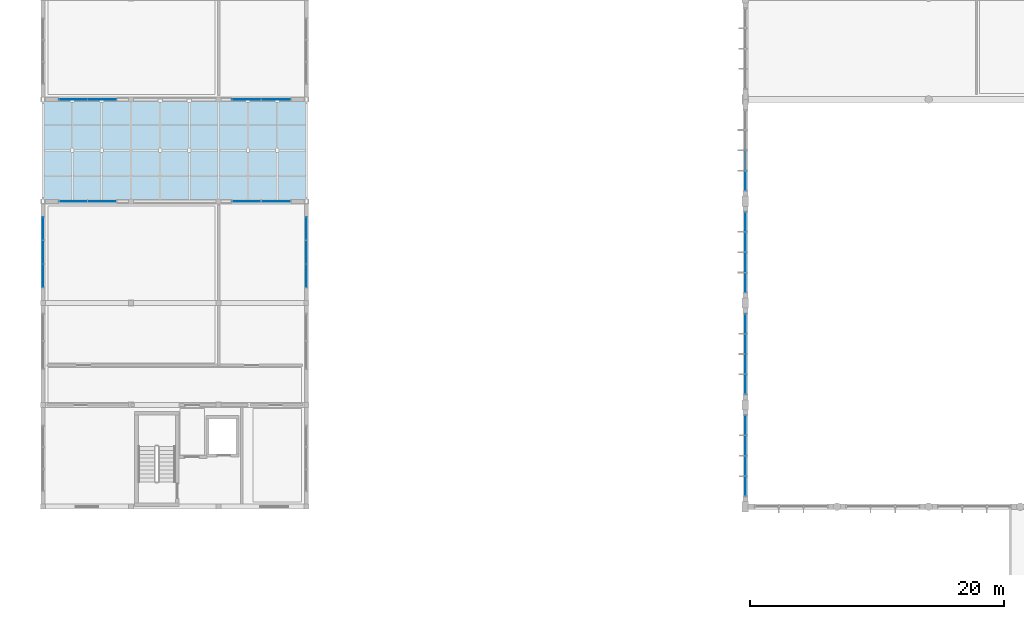
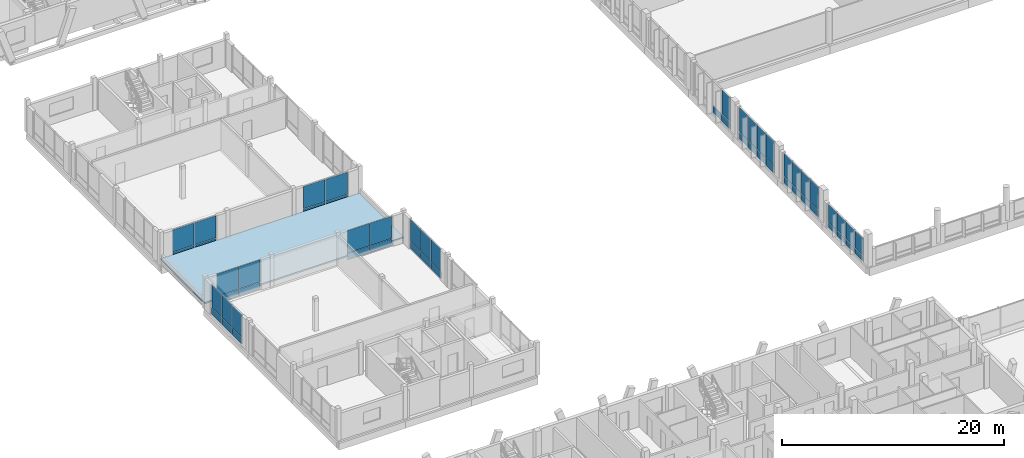
# One storey, part 124 of 189: 55 plates, 1 slab, 10 elements without a shape of their own.
"""IFC4 building model written with IfcOpenShell, lengths in metres."""

from ifc_helpers import new_model, si_unit, direction, frame, origin, origin_2d, place, context, subcontext, project, spatial, polyline, rectangle, outline, extrude, material, layer, layer_set, type_object, element, aggregate, save


model = new_model("IFC4")

# Units and contexts
model_context = context("Model", 3, precision=1e-05, world=origin(), true_north=direction((0.0, 1.0)))
body_context = subcontext(model_context, "Body", "Model", "MODEL_VIEW")
ifc_project = project(units=[si_unit("LENGTHUNIT", "METRE"), si_unit("AREAUNIT", "SQUARE_METRE"), si_unit("VOLUMEUNIT", "CUBIC_METRE"), si_unit("PLANEANGLEUNIT", "RADIAN"), si_unit("MASSUNIT", "GRAM", prefix="KILO")], contexts=[model_context])

# Site, building, storey
site_placement = place(None, origin())
site = spatial("IfcSite", under=ifc_project, at=site_placement, CompositionType="ELEMENT")
building_placement = place(site_placement, origin())
building = spatial("IfcBuilding", under=site, at=building_placement, Name="Zavelmont Quarter", CompositionType="ELEMENT")
storey_placement = place(building_placement, frame((0.0, 0.0, 4.39990234375)))
storey = spatial("IfcBuildingStorey", under=building, at=storey_placement, Name="L01", CompositionType="ELEMENT", Elevation=4.39990234375)

# Curtain wall, plates
ifc_material_1 = material(Name="Thermally broken aluminium and double low-E safety glazing", Category="aluminium")
curtain_wall_type_1 = type_object("IfcCurtainWallType", Name="CW-640X268", PredefinedType="NOTDEFINED", material=ifc_material_1)
curtain_wall_1_placement = place(storey_placement, origin())
curtain_wall_1 = element("IfcCurtainWall", 1, at=curtain_wall_1_placement, inside=storey, type_object=curtain_wall_type_1, Name="L01 unitised curtain wall CW-640X268", PredefinedType="NOTDEFINED")
ifc_material_2 = material(Name="Insulated anodised-aluminium spandrel panel", Category="aluminium")
ifc_layer_1 = layer(ifc_material_2, 0.0400390625)
ifc_layer_set_1 = layer_set([ifc_layer_1], Name="Insulated anodised-aluminium spandrel panel")
plate_type_1 = type_object("IfcPlateType", Name="CWP-SPD-1495X535", PredefinedType="CURTAIN_PANEL", material=ifc_layer_set_1)
plate_1_placement = place(storey_placement, frame((55.199951171875, 31.617431640625, -0.2099609375), z_axis=(0.0, 0.0, 1.0), x_axis=(0.0, 1.0, 0.0)))
plate_1 = element("IfcPlate", 2, at=plate_1_placement, type_object=plate_type_1, Name="CW-640X268 panel 1.1", PredefinedType="CURTAIN_PANEL", context=body_context, shape_type="SweptSolid", body=[
    extrude(rectangle(XDim=1.4951171875, YDim=0.0400390625, at=origin_2d()), origin(), (0.0, 0.0, 1.0), 0.537109375),
])
plate_2_placement = place(storey_placement, frame((55.199951171875, 36.382568359375, -0.2099609375), z_axis=(0.0, 0.0, 1.0), x_axis=(0.0, 1.0, 0.0)))
plate_2 = element("IfcPlate", 3, at=plate_2_placement, type_object=plate_type_1, Name="CW-640X268 panel 4.1", PredefinedType="CURTAIN_PANEL", context=body_context, shape_type="SweptSolid", body=[
    extrude(rectangle(XDim=1.4951171875, YDim=0.0400390625, at=origin_2d()), origin(), (0.0, 0.0, 1.0), 0.537109375),
])

curtain_wall_type_2 = type_object("IfcCurtainWallType", Name="CW-640X342", PredefinedType="NOTDEFINED", material=ifc_material_1)
curtain_wall_2_placement = place(storey_placement, origin())
curtain_wall_2 = element("IfcCurtainWall", 4, at=curtain_wall_2_placement, inside=storey, type_object=curtain_wall_type_2, Name="L01 unitised curtain wall CW-640X342", PredefinedType="NOTDEFINED")
ifc_layer_2 = layer(ifc_material_2, 0.0400390625)
ifc_layer_set_2 = layer_set([ifc_layer_2], Name="Insulated anodised-aluminium spandrel panel")
plate_type_2 = type_object("IfcPlateType", Name="CWP-SPD-1495X715", PredefinedType="CURTAIN_PANEL", material=ifc_layer_set_2)
plate_3_placement = place(storey_placement, frame((55.199951171875, 39.617431640625, -0.2099609375), z_axis=(0.0, 0.0, 1.0), x_axis=(0.0, 1.0, 0.0)))
plate_3 = element("IfcPlate", 5, at=plate_3_placement, type_object=plate_type_2, Name="CW-640X342 panel 1.1", PredefinedType="CURTAIN_PANEL", context=body_context, shape_type="SweptSolid", body=[
    extrude(rectangle(XDim=1.4951171875, YDim=0.0400390625, at=origin_2d()), origin(), (0.0, 0.0, 1.0), 0.717041015625),
])
plate_4_placement = place(storey_placement, frame((55.199951171875, 44.382568359375, -0.2099609375), z_axis=(0.0, 0.0, 1.0), x_axis=(0.0, 1.0, 0.0)))
plate_4 = element("IfcPlate", 6, at=plate_4_placement, type_object=plate_type_2, Name="CW-640X342 panel 4.1", PredefinedType="CURTAIN_PANEL", context=body_context, shape_type="SweptSolid", body=[
    extrude(rectangle(XDim=1.4951171875, YDim=0.0400390625, at=origin_2d()), origin(), (0.0, 0.0, 1.0), 0.717041015625),
])

curtain_wall_type_3 = type_object("IfcCurtainWallType", Name="CW-640X362", PredefinedType="NOTDEFINED", material=ifc_material_1)
curtain_wall_3_placement = place(storey_placement, origin())
curtain_wall_3 = element("IfcCurtainWall", 7, at=curtain_wall_3_placement, inside=storey, type_object=curtain_wall_type_3, Name="L01 unitised curtain wall CW-640X362", PredefinedType="NOTDEFINED")
ifc_layer_3 = layer(ifc_material_2, 0.0400390625)
ifc_layer_set_3 = layer_set([ifc_layer_3], Name="Insulated anodised-aluminium spandrel panel")
plate_type_3 = type_object("IfcPlateType", Name="CWP-SPD-1495X745", PredefinedType="CURTAIN_PANEL", material=ifc_layer_set_3)
plate_5_placement = place(storey_placement, frame((55.199951171875, 47.617431640625, -0.2099609375), z_axis=(0.0, 0.0, 1.0), x_axis=(0.0, 1.0, 0.0)))
plate_5 = element("IfcPlate", 8, at=plate_5_placement, type_object=plate_type_3, Name="CW-640X362 panel 1.1", PredefinedType="CURTAIN_PANEL", context=body_context, shape_type="SweptSolid", body=[
    extrude(rectangle(XDim=1.4951171875, YDim=0.0400390625, at=origin_2d()), origin(), (0.0, 0.0, 1.0), 0.7451171875),
])
plate_6_placement = place(storey_placement, frame((55.199951171875, 52.382568359375, -0.2099609375), z_axis=(0.0, 0.0, 1.0), x_axis=(0.0, 1.0, 0.0)))
plate_6 = element("IfcPlate", 9, at=plate_6_placement, type_object=plate_type_3, Name="CW-640X362 panel 4.1", PredefinedType="CURTAIN_PANEL", context=body_context, shape_type="SweptSolid", body=[
    extrude(rectangle(XDim=1.4951171875, YDim=0.0400390625, at=origin_2d()), origin(), (0.0, 0.0, 1.0), 0.7451171875),
])

# Curtain wall, plate
curtain_wall_4_placement = place(storey_placement, origin())
curtain_wall_4 = element("IfcCurtainWall", 10, at=curtain_wall_4_placement, inside=storey, type_object=curtain_wall_type_3, Name="L01 unitised curtain wall CW-640X362", PredefinedType="NOTDEFINED")
plate_7_placement = place(storey_placement, frame((55.199951171875, 55.617431640625, -0.2099609375), z_axis=(0.0, 0.0, 1.0), x_axis=(0.0, 1.0, 0.0)))
plate_7 = element("IfcPlate", 11, at=plate_7_placement, type_object=plate_type_3, Name="CW-640X362 panel 1.1", PredefinedType="CURTAIN_PANEL", context=body_context, shape_type="SweptSolid", body=[
    extrude(rectangle(XDim=1.4951171875, YDim=0.0400390625, at=origin_2d()), origin(), (0.0, 0.0, 1.0), 0.7451171875),
])

# Plate
ifc_layer_4 = layer(ifc_material_2, 0.0400390625)
ifc_layer_set_4 = layer_set([ifc_layer_4], Name="Insulated anodised-aluminium spandrel panel")
plate_type_4 = type_object("IfcPlateType", Name="CWP-SPD-1530X535", PredefinedType="CURTAIN_PANEL", material=ifc_layer_set_4)
plate_8_placement = place(storey_placement, frame((55.199951171875, 33.199951171875, -0.2099609375), z_axis=(0.0, 0.0, 1.0), x_axis=(0.0, 1.0, 0.0)))
plate_8 = element("IfcPlate", 12, at=plate_8_placement, type_object=plate_type_4, Name="CW-640X268 panel 2.1", PredefinedType="CURTAIN_PANEL", context=body_context, shape_type="SweptSolid", body=[
    extrude(rectangle(XDim=1.530029296875, YDim=0.0400390625, at=origin_2d()), origin(), (0.0, 0.0, 1.0), 0.537109375),
])

plate_9_placement = place(storey_placement, frame((55.199951171875, 34.800048828125, -0.2099609375), z_axis=(0.0, 0.0, 1.0), x_axis=(0.0, 1.0, 0.0)))
plate_9 = element("IfcPlate", 13, at=plate_9_placement, type_object=plate_type_4, Name="CW-640X268 panel 3.1", PredefinedType="CURTAIN_PANEL", context=body_context, shape_type="SweptSolid", body=[
    extrude(rectangle(XDim=1.530029296875, YDim=0.0400390625, at=origin_2d()), origin(), (0.0, 0.0, 1.0), 0.537109375),
])

ifc_layer_5 = layer(ifc_material_2, 0.0400390625)
ifc_layer_set_5 = layer_set([ifc_layer_5], Name="Insulated anodised-aluminium spandrel panel")
plate_type_5 = type_object("IfcPlateType", Name="CWP-SPD-1530X715", PredefinedType="CURTAIN_PANEL", material=ifc_layer_set_5)
plate_10_placement = place(storey_placement, frame((55.199951171875, 41.199951171875, -0.2099609375), z_axis=(0.0, 0.0, 1.0), x_axis=(0.0, 1.0, 0.0)))
plate_10 = element("IfcPlate", 14, at=plate_10_placement, type_object=plate_type_5, Name="CW-640X342 panel 2.1", PredefinedType="CURTAIN_PANEL", context=body_context, shape_type="SweptSolid", body=[
    extrude(rectangle(XDim=1.530029296875, YDim=0.0400390625, at=origin_2d()), origin(), (0.0, 0.0, 1.0), 0.717041015625),
])

plate_11_placement = place(storey_placement, frame((55.199951171875, 42.800048828125, -0.2099609375), z_axis=(0.0, 0.0, 1.0), x_axis=(0.0, 1.0, 0.0)))
plate_11 = element("IfcPlate", 15, at=plate_11_placement, type_object=plate_type_5, Name="CW-640X342 panel 3.1", PredefinedType="CURTAIN_PANEL", context=body_context, shape_type="SweptSolid", body=[
    extrude(rectangle(XDim=1.530029296875, YDim=0.0400390625, at=origin_2d()), origin(), (0.0, 0.0, 1.0), 0.717041015625),
])

ifc_layer_6 = layer(ifc_material_2, 0.0400390625)
ifc_layer_set_6 = layer_set([ifc_layer_6], Name="Insulated anodised-aluminium spandrel panel")
plate_type_6 = type_object("IfcPlateType", Name="CWP-SPD-1530X745", PredefinedType="CURTAIN_PANEL", material=ifc_layer_set_6)
plate_12_placement = place(storey_placement, frame((55.199951171875, 49.199951171875, -0.2099609375), z_axis=(0.0, 0.0, 1.0), x_axis=(0.0, 1.0, 0.0)))
plate_12 = element("IfcPlate", 16, at=plate_12_placement, type_object=plate_type_6, Name="CW-640X362 panel 2.1", PredefinedType="CURTAIN_PANEL", context=body_context, shape_type="SweptSolid", body=[
    extrude(rectangle(XDim=1.530029296875, YDim=0.0400390625, at=origin_2d()), origin(), (0.0, 0.0, 1.0), 0.7451171875),
])

plate_13_placement = place(storey_placement, frame((55.199951171875, 50.800048828125, -0.2099609375), z_axis=(0.0, 0.0, 1.0), x_axis=(0.0, 1.0, 0.0)))
plate_13 = element("IfcPlate", 17, at=plate_13_placement, type_object=plate_type_6, Name="CW-640X362 panel 3.1", PredefinedType="CURTAIN_PANEL", context=body_context, shape_type="SweptSolid", body=[
    extrude(rectangle(XDim=1.530029296875, YDim=0.0400390625, at=origin_2d()), origin(), (0.0, 0.0, 1.0), 0.7451171875),
])

plate_14_placement = place(storey_placement, frame((55.199951171875, 57.199951171875, -0.2099609375), z_axis=(0.0, 0.0, 1.0), x_axis=(0.0, 1.0, 0.0)))
plate_14 = element("IfcPlate", 18, at=plate_14_placement, type_object=plate_type_6, Name="CW-640X362 panel 2.1", PredefinedType="CURTAIN_PANEL", context=body_context, shape_type="SweptSolid", body=[
    extrude(rectangle(XDim=1.530029296875, YDim=0.0400390625, at=origin_2d()), origin(), (0.0, 0.0, 1.0), 0.7451171875),
])

# Curtain wall, plates
curtain_wall_type_4 = type_object("IfcCurtainWallType", Name="CW-560X333", PredefinedType="NOTDEFINED", material=ifc_material_1)
curtain_wall_5_placement = place(storey_placement, origin())
curtain_wall_5 = element("IfcCurtainWall", 19, at=curtain_wall_5_placement, inside=storey, type_object=curtain_wall_type_4, Name="L01 unitised curtain wall CW-560X333", PredefinedType="NOTDEFINED")
ifc_layer_7 = layer(ifc_material_2, 0.0400390625)
ifc_layer_set_7 = layer_set([ifc_layer_7], Name="Insulated anodised-aluminium spandrel panel")
plate_type_7 = type_object("IfcPlateType", Name="CWP-SPD-1775X710", PredefinedType="CURTAIN_PANEL", material=ifc_layer_set_7)
plate_15_placement = place(storey_placement, frame((0.0, 48.1484375, 0.06005859375), z_axis=(0.0, 0.0, 1.0), x_axis=(0.0, 1.0, 0.0)))
plate_15 = element("IfcPlate", 20, at=plate_15_placement, type_object=plate_type_7, Name="CW-560X333 panel 1.1", PredefinedType="CURTAIN_PANEL", context=body_context, shape_type="SweptSolid", body=[
    extrude(rectangle(XDim=1.776611328125, YDim=0.0400390625, at=origin_2d()), origin(), (0.0, 0.0, 1.0), 0.708984375),
])
plate_16_placement = place(storey_placement, frame((0.0, 51.8515625, 0.06005859375), z_axis=(0.0, 0.0, 1.0), x_axis=(0.0, 1.0, 0.0)))
plate_16 = element("IfcPlate", 21, at=plate_16_placement, type_object=plate_type_7, Name="CW-560X333 panel 3.1", PredefinedType="CURTAIN_PANEL", context=body_context, shape_type="SweptSolid", body=[
    extrude(rectangle(XDim=1.776611328125, YDim=0.0400390625, at=origin_2d()), origin(), (0.0, 0.0, 1.0), 0.708984375),
])

curtain_wall_6_placement = place(storey_placement, origin())
curtain_wall_6 = element("IfcCurtainWall", 22, at=curtain_wall_6_placement, inside=storey, type_object=curtain_wall_type_4, Name="L01 unitised curtain wall CW-560X333", PredefinedType="NOTDEFINED")
plate_17_placement = place(storey_placement, frame((20.699951171875, 48.1484375, 0.06005859375), z_axis=(0.0, 0.0, 1.0), x_axis=(0.0, 1.0, 0.0)))
plate_17 = element("IfcPlate", 23, at=plate_17_placement, type_object=plate_type_7, Name="CW-560X333 panel 1.1", PredefinedType="CURTAIN_PANEL", context=body_context, shape_type="SweptSolid", body=[
    extrude(rectangle(XDim=1.776611328125, YDim=0.0400390625, at=origin_2d()), origin(), (0.0, 0.0, 1.0), 0.708984375),
])
plate_18_placement = place(storey_placement, frame((20.699951171875, 51.8515625, 0.06005859375), z_axis=(0.0, 0.0, 1.0), x_axis=(0.0, 1.0, 0.0)))
plate_18 = element("IfcPlate", 24, at=plate_18_placement, type_object=plate_type_7, Name="CW-560X333 panel 3.1", PredefinedType="CURTAIN_PANEL", context=body_context, shape_type="SweptSolid", body=[
    extrude(rectangle(XDim=1.776611328125, YDim=0.0400390625, at=origin_2d()), origin(), (0.0, 0.0, 1.0), 0.708984375),
])

# Plate
ifc_layer_8 = layer(ifc_material_2, 0.0400390625)
ifc_layer_set_8 = layer_set([ifc_layer_8], Name="Insulated anodised-aluminium spandrel panel")
plate_type_8 = type_object("IfcPlateType", Name="CWP-SPD-1805X710", PredefinedType="CURTAIN_PANEL", material=ifc_layer_set_8)
plate_19_placement = place(storey_placement, frame((0.0, 50.0, 0.06005859375), z_axis=(0.0, 0.0, 1.0), x_axis=(0.0, 1.0, 0.0)))
plate_19 = element("IfcPlate", 25, at=plate_19_placement, type_object=plate_type_8, Name="CW-560X333 panel 2.1", PredefinedType="CURTAIN_PANEL", context=body_context, shape_type="SweptSolid", body=[
    extrude(rectangle(XDim=1.806640625, YDim=0.0400390625, at=origin_2d()), origin(), (0.0, 0.0, 1.0), 0.708984375),
])

plate_20_placement = place(storey_placement, frame((20.699951171875, 50.0, 0.06005859375), z_axis=(0.0, 0.0, 1.0), x_axis=(0.0, 1.0, 0.0)))
plate_20 = element("IfcPlate", 26, at=plate_20_placement, type_object=plate_type_8, Name="CW-560X333 panel 2.1", PredefinedType="CURTAIN_PANEL", context=body_context, shape_type="SweptSolid", body=[
    extrude(rectangle(XDim=1.806640625, YDim=0.0400390625, at=origin_2d()), origin(), (0.0, 0.0, 1.0), 0.708984375),
])

# Curtain wall, plates
curtain_wall_type_5 = type_object("IfcCurtainWallType", Name="CW-460X333", PredefinedType="NOTDEFINED", material=ifc_material_1)
curtain_wall_7_placement = place(storey_placement, origin())
curtain_wall_7 = element("IfcCurtainWall", 27, at=curtain_wall_7_placement, inside=storey, type_object=curtain_wall_type_5, Name="L01 unitised curtain wall CW-460X333", PredefinedType="NOTDEFINED")
ifc_layer_9 = layer(ifc_material_2, 0.0400390625)
ifc_layer_set_9 = layer_set([ifc_layer_9], Name="Insulated anodised-aluminium spandrel panel")
plate_type_9 = type_object("IfcPlateType", Name="CWP-SPD-2210X710", PredefinedType="CURTAIN_PANEL", material=ifc_layer_set_9)
plate_21_placement = place(storey_placement, frame((2.364990234375, 54.0, 0.06005859375), z_axis=(0.0, 0.0, 1.0), x_axis=(1.0, 0.0, 0.0)))
plate_21 = element("IfcPlate", 28, at=plate_21_placement, type_object=plate_type_9, Name="CW-460X333 panel 1.1", PredefinedType="CURTAIN_PANEL", context=body_context, shape_type="SweptSolid", body=[
    extrude(rectangle(XDim=2.2099609375, YDim=0.0400390625, at=origin_2d()), origin(), (0.0, 0.0, 1.0), 0.708984375),
])
plate_22_placement = place(storey_placement, frame((4.635009765625, 54.0, 0.06005859375), z_axis=(0.0, 0.0, 1.0), x_axis=(1.0, 0.0, 0.0)))
plate_22 = element("IfcPlate", 29, at=plate_22_placement, type_object=plate_type_9, Name="CW-460X333 panel 2.1", PredefinedType="CURTAIN_PANEL", context=body_context, shape_type="SweptSolid", body=[
    extrude(rectangle(XDim=2.2099609375, YDim=0.0400390625, at=origin_2d()), origin(), (0.0, 0.0, 1.0), 0.708984375),
])

curtain_wall_8_placement = place(storey_placement, origin())
curtain_wall_8 = element("IfcCurtainWall", 30, at=curtain_wall_8_placement, inside=storey, type_object=curtain_wall_type_5, Name="L01 unitised curtain wall CW-460X333", PredefinedType="NOTDEFINED")
plate_23_placement = place(storey_placement, frame((2.364990234375, 62.0, 0.06005859375), z_axis=(0.0, 0.0, 1.0), x_axis=(1.0, 0.0, 0.0)))
plate_23 = element("IfcPlate", 31, at=plate_23_placement, type_object=plate_type_9, Name="CW-460X333 panel 1.1", PredefinedType="CURTAIN_PANEL", context=body_context, shape_type="SweptSolid", body=[
    extrude(rectangle(XDim=2.2099609375, YDim=0.0400390625, at=origin_2d()), origin(), (0.0, 0.0, 1.0), 0.708984375),
])
plate_24_placement = place(storey_placement, frame((4.635009765625, 62.0, 0.06005859375), z_axis=(0.0, 0.0, 1.0), x_axis=(1.0, 0.0, 0.0)))
plate_24 = element("IfcPlate", 32, at=plate_24_placement, type_object=plate_type_9, Name="CW-460X333 panel 2.1", PredefinedType="CURTAIN_PANEL", context=body_context, shape_type="SweptSolid", body=[
    extrude(rectangle(XDim=2.2099609375, YDim=0.0400390625, at=origin_2d()), origin(), (0.0, 0.0, 1.0), 0.708984375),
])

curtain_wall_type_6 = type_object("IfcCurtainWallType", Name="CW-470X333", PredefinedType="NOTDEFINED", material=ifc_material_1)
curtain_wall_9_placement = place(storey_placement, origin())
curtain_wall_9 = element("IfcCurtainWall", 33, at=curtain_wall_9_placement, inside=storey, type_object=curtain_wall_type_6, Name="L01 unitised curtain wall CW-470X333", PredefinedType="NOTDEFINED")
ifc_layer_10 = layer(ifc_material_2, 0.0400390625)
ifc_layer_set_10 = layer_set([ifc_layer_10], Name="Insulated anodised-aluminium spandrel panel")
plate_type_10 = type_object("IfcPlateType", Name="CWP-SPD-2260X710", PredefinedType="CURTAIN_PANEL", material=ifc_layer_set_10)
plate_25_placement = place(storey_placement, frame((15.989990234375, 54.0, 0.06005859375), z_axis=(0.0, 0.0, 1.0), x_axis=(1.0, 0.0, 0.0)))
plate_25 = element("IfcPlate", 34, at=plate_25_placement, type_object=plate_type_10, Name="CW-470X333 panel 1.1", PredefinedType="CURTAIN_PANEL", context=body_context, shape_type="SweptSolid", body=[
    extrude(rectangle(XDim=2.260009765625, YDim=0.0400390625, at=origin_2d()), origin(), (0.0, 0.0, 1.0), 0.708984375),
])
plate_26_placement = place(storey_placement, frame((18.31005859375, 54.0, 0.06005859375), z_axis=(0.0, 0.0, 1.0), x_axis=(1.0, 0.0, 0.0)))
plate_26 = element("IfcPlate", 35, at=plate_26_placement, type_object=plate_type_10, Name="CW-470X333 panel 2.1", PredefinedType="CURTAIN_PANEL", context=body_context, shape_type="SweptSolid", body=[
    extrude(rectangle(XDim=2.260009765625, YDim=0.0400390625, at=origin_2d()), origin(), (0.0, 0.0, 1.0), 0.708984375),
])

curtain_wall_10_placement = place(storey_placement, origin())
curtain_wall_10 = element("IfcCurtainWall", 36, at=curtain_wall_10_placement, inside=storey, type_object=curtain_wall_type_6, Name="L01 unitised curtain wall CW-470X333", PredefinedType="NOTDEFINED")
plate_27_placement = place(storey_placement, frame((15.989990234375, 62.0, 0.06005859375), z_axis=(0.0, 0.0, 1.0), x_axis=(1.0, 0.0, 0.0)))
plate_27 = element("IfcPlate", 37, at=plate_27_placement, type_object=plate_type_10, Name="CW-470X333 panel 1.1", PredefinedType="CURTAIN_PANEL", context=body_context, shape_type="SweptSolid", body=[
    extrude(rectangle(XDim=2.260009765625, YDim=0.0400390625, at=origin_2d()), origin(), (0.0, 0.0, 1.0), 0.708984375),
])
plate_28_placement = place(storey_placement, frame((18.31005859375, 62.0, 0.06005859375), z_axis=(0.0, 0.0, 1.0), x_axis=(1.0, 0.0, 0.0)))
plate_28 = element("IfcPlate", 38, at=plate_28_placement, type_object=plate_type_10, Name="CW-470X333 panel 2.1", PredefinedType="CURTAIN_PANEL", context=body_context, shape_type="SweptSolid", body=[
    extrude(rectangle(XDim=2.260009765625, YDim=0.0400390625, at=origin_2d()), origin(), (0.0, 0.0, 1.0), 0.708984375),
])

# Plate
ifc_material_3 = material(Name="Double low-E insulated vision glass", Category="glass")
ifc_layer_11 = layer(ifc_material_3, 0.028076171875)
ifc_layer_set_11 = layer_set([ifc_layer_11], Name="Double low-E insulated vision glass")
plate_type_11 = type_object("IfcPlateType", Name="CWP-VIS-1495X1930", PredefinedType="CURTAIN_PANEL", material=ifc_layer_set_11)
plate_29_placement = place(storey_placement, frame((55.199951171875, 31.617431640625, 0.39697265625), z_axis=(0.0, 0.0, 1.0), x_axis=(0.0, 1.0, 0.0)))
plate_29 = element("IfcPlate", 39, at=plate_29_placement, type_object=plate_type_11, Name="CW-640X268 panel 1.2", PredefinedType="CURTAIN_PANEL", context=body_context, shape_type="SweptSolid", body=[
    extrude(rectangle(XDim=1.4951171875, YDim=0.028076171875, at=origin_2d()), origin(), (0.0, 0.0, 1.0), 1.927978515625),
])

plate_30_placement = place(storey_placement, frame((55.199951171875, 36.382568359375, 0.39697265625), z_axis=(0.0, 0.0, 1.0), x_axis=(0.0, 1.0, 0.0)))
plate_30 = element("IfcPlate", 40, at=plate_30_placement, type_object=plate_type_11, Name="CW-640X268 panel 4.2", PredefinedType="CURTAIN_PANEL", context=body_context, shape_type="SweptSolid", body=[
    extrude(rectangle(XDim=1.4951171875, YDim=0.028076171875, at=origin_2d()), origin(), (0.0, 0.0, 1.0), 1.927978515625),
])

ifc_layer_12 = layer(ifc_material_3, 0.028076171875)
ifc_layer_set_12 = layer_set([ifc_layer_12], Name="Double low-E insulated vision glass")
plate_type_12 = type_object("IfcPlateType", Name="CWP-VIS-1495X2500", PredefinedType="CURTAIN_PANEL", material=ifc_layer_set_12)
plate_31_placement = place(storey_placement, frame((55.199951171875, 39.617431640625, 0.5771484375), z_axis=(0.0, 0.0, 1.0), x_axis=(0.0, 1.0, 0.0)))
plate_31 = element("IfcPlate", 41, at=plate_31_placement, type_object=plate_type_12, Name="CW-640X342 panel 1.2", PredefinedType="CURTAIN_PANEL", context=body_context, shape_type="SweptSolid", body=[
    extrude(rectangle(XDim=1.4951171875, YDim=0.028076171875, at=origin_2d()), origin(), (0.0, 0.0, 1.0), 2.498046875),
])

plate_32_placement = place(storey_placement, frame((55.199951171875, 44.382568359375, 0.5771484375), z_axis=(0.0, 0.0, 1.0), x_axis=(0.0, 1.0, 0.0)))
plate_32 = element("IfcPlate", 42, at=plate_32_placement, type_object=plate_type_12, Name="CW-640X342 panel 4.2", PredefinedType="CURTAIN_PANEL", context=body_context, shape_type="SweptSolid", body=[
    extrude(rectangle(XDim=1.4951171875, YDim=0.028076171875, at=origin_2d()), origin(), (0.0, 0.0, 1.0), 2.498046875),
])

ifc_layer_13 = layer(ifc_material_3, 0.028076171875)
ifc_layer_set_13 = layer_set([ifc_layer_13], Name="Double low-E insulated vision glass")
plate_type_13 = type_object("IfcPlateType", Name="CWP-VIS-1495X2665", PredefinedType="CURTAIN_PANEL", material=ifc_layer_set_13)
plate_33_placement = place(storey_placement, frame((55.199951171875, 47.617431640625, 0.60498046875), z_axis=(0.0, 0.0, 1.0), x_axis=(0.0, 1.0, 0.0)))
plate_33 = element("IfcPlate", 43, at=plate_33_placement, type_object=plate_type_13, Name="CW-640X362 panel 1.2", PredefinedType="CURTAIN_PANEL", context=body_context, shape_type="SweptSolid", body=[
    extrude(rectangle(XDim=1.4951171875, YDim=0.028076171875, at=origin_2d()), origin(), (0.0, 0.0, 1.0), 2.6650390625),
])

plate_34_placement = place(storey_placement, frame((55.199951171875, 52.382568359375, 0.60498046875), z_axis=(0.0, 0.0, 1.0), x_axis=(0.0, 1.0, 0.0)))
plate_34 = element("IfcPlate", 44, at=plate_34_placement, type_object=plate_type_13, Name="CW-640X362 panel 4.2", PredefinedType="CURTAIN_PANEL", context=body_context, shape_type="SweptSolid", body=[
    extrude(rectangle(XDim=1.4951171875, YDim=0.028076171875, at=origin_2d()), origin(), (0.0, 0.0, 1.0), 2.6650390625),
])

plate_35_placement = place(storey_placement, frame((55.199951171875, 55.617431640625, 0.60498046875), z_axis=(0.0, 0.0, 1.0), x_axis=(0.0, 1.0, 0.0)))
plate_35 = element("IfcPlate", 45, at=plate_35_placement, type_object=plate_type_13, Name="CW-640X362 panel 1.2", PredefinedType="CURTAIN_PANEL", context=body_context, shape_type="SweptSolid", body=[
    extrude(rectangle(XDim=1.4951171875, YDim=0.028076171875, at=origin_2d()), origin(), (0.0, 0.0, 1.0), 2.6650390625),
])

aggregate(curtain_wall_4, [plate_7, plate_35, plate_14])

ifc_layer_14 = layer(ifc_material_3, 0.028076171875)
ifc_layer_set_14 = layer_set([ifc_layer_14], Name="Double low-E insulated vision glass")
plate_type_14 = type_object("IfcPlateType", Name="CWP-VIS-1530X1930", PredefinedType="CURTAIN_PANEL", material=ifc_layer_set_14)
plate_36_placement = place(storey_placement, frame((55.199951171875, 33.199951171875, 0.39697265625), z_axis=(0.0, 0.0, 1.0), x_axis=(0.0, 1.0, 0.0)))
plate_36 = element("IfcPlate", 46, at=plate_36_placement, type_object=plate_type_14, Name="CW-640X268 panel 2.2", PredefinedType="CURTAIN_PANEL", context=body_context, shape_type="SweptSolid", body=[
    extrude(rectangle(XDim=1.530029296875, YDim=0.028076171875, at=origin_2d()), origin(), (0.0, 0.0, 1.0), 1.927978515625),
])

plate_37_placement = place(storey_placement, frame((55.199951171875, 34.800048828125, 0.39697265625), z_axis=(0.0, 0.0, 1.0), x_axis=(0.0, 1.0, 0.0)))
plate_37 = element("IfcPlate", 47, at=plate_37_placement, type_object=plate_type_14, Name="CW-640X268 panel 3.2", PredefinedType="CURTAIN_PANEL", context=body_context, shape_type="SweptSolid", body=[
    extrude(rectangle(XDim=1.530029296875, YDim=0.028076171875, at=origin_2d()), origin(), (0.0, 0.0, 1.0), 1.927978515625),
])

aggregate(curtain_wall_1, [plate_1, plate_29, plate_8, plate_36, plate_9, plate_37, plate_2, plate_30])

ifc_layer_15 = layer(ifc_material_3, 0.028076171875)
ifc_layer_set_15 = layer_set([ifc_layer_15], Name="Double low-E insulated vision glass")
plate_type_15 = type_object("IfcPlateType", Name="CWP-VIS-1530X2500", PredefinedType="CURTAIN_PANEL", material=ifc_layer_set_15)
plate_38_placement = place(storey_placement, frame((55.199951171875, 41.199951171875, 0.5771484375), z_axis=(0.0, 0.0, 1.0), x_axis=(0.0, 1.0, 0.0)))
plate_38 = element("IfcPlate", 48, at=plate_38_placement, type_object=plate_type_15, Name="CW-640X342 panel 2.2", PredefinedType="CURTAIN_PANEL", context=body_context, shape_type="SweptSolid", body=[
    extrude(rectangle(XDim=1.530029296875, YDim=0.028076171875, at=origin_2d()), origin(), (0.0, 0.0, 1.0), 2.498046875),
])

plate_39_placement = place(storey_placement, frame((55.199951171875, 42.800048828125, 0.5771484375), z_axis=(0.0, 0.0, 1.0), x_axis=(0.0, 1.0, 0.0)))
plate_39 = element("IfcPlate", 49, at=plate_39_placement, type_object=plate_type_15, Name="CW-640X342 panel 3.2", PredefinedType="CURTAIN_PANEL", context=body_context, shape_type="SweptSolid", body=[
    extrude(rectangle(XDim=1.530029296875, YDim=0.028076171875, at=origin_2d()), origin(), (0.0, 0.0, 1.0), 2.498046875),
])

aggregate(curtain_wall_2, [plate_3, plate_31, plate_10, plate_38, plate_11, plate_39, plate_4, plate_32])

ifc_layer_16 = layer(ifc_material_3, 0.028076171875)
ifc_layer_set_16 = layer_set([ifc_layer_16], Name="Double low-E insulated vision glass")
plate_type_16 = type_object("IfcPlateType", Name="CWP-VIS-1530X2665", PredefinedType="CURTAIN_PANEL", material=ifc_layer_set_16)
plate_40_placement = place(storey_placement, frame((55.199951171875, 49.199951171875, 0.60498046875), z_axis=(0.0, 0.0, 1.0), x_axis=(0.0, 1.0, 0.0)))
plate_40 = element("IfcPlate", 50, at=plate_40_placement, type_object=plate_type_16, Name="CW-640X362 panel 2.2", PredefinedType="CURTAIN_PANEL", context=body_context, shape_type="SweptSolid", body=[
    extrude(rectangle(XDim=1.530029296875, YDim=0.028076171875, at=origin_2d()), origin(), (0.0, 0.0, 1.0), 2.6650390625),
])

plate_41_placement = place(storey_placement, frame((55.199951171875, 50.800048828125, 0.60498046875), z_axis=(0.0, 0.0, 1.0), x_axis=(0.0, 1.0, 0.0)))
plate_41 = element("IfcPlate", 51, at=plate_41_placement, type_object=plate_type_16, Name="CW-640X362 panel 3.2", PredefinedType="CURTAIN_PANEL", context=body_context, shape_type="SweptSolid", body=[
    extrude(rectangle(XDim=1.530029296875, YDim=0.028076171875, at=origin_2d()), origin(), (0.0, 0.0, 1.0), 2.6650390625),
])

aggregate(curtain_wall_3, [plate_5, plate_33, plate_12, plate_40, plate_13, plate_41, plate_6, plate_34])

ifc_layer_17 = layer(ifc_material_3, 0.028076171875)
ifc_layer_set_17 = layer_set([ifc_layer_17], Name="Double low-E insulated vision glass")
plate_type_17 = type_object("IfcPlateType", Name="CWP-VIS-1775X2440", PredefinedType="CURTAIN_PANEL", material=ifc_layer_set_17)
plate_42_placement = place(storey_placement, frame((0.0, 48.1484375, 0.8291015625), z_axis=(0.0, 0.0, 1.0), x_axis=(0.0, 1.0, 0.0)))
plate_42 = element("IfcPlate", 52, at=plate_42_placement, type_object=plate_type_17, Name="CW-560X333 panel 1.2", PredefinedType="CURTAIN_PANEL", context=body_context, shape_type="SweptSolid", body=[
    extrude(rectangle(XDim=1.776611328125, YDim=0.028076171875, at=origin_2d()), origin(), (0.0, 0.0, 1.0), 2.44091796875),
])

plate_43_placement = place(storey_placement, frame((0.0, 51.8515625, 0.8291015625), z_axis=(0.0, 0.0, 1.0), x_axis=(0.0, 1.0, 0.0)))
plate_43 = element("IfcPlate", 53, at=plate_43_placement, type_object=plate_type_17, Name="CW-560X333 panel 3.2", PredefinedType="CURTAIN_PANEL", context=body_context, shape_type="SweptSolid", body=[
    extrude(rectangle(XDim=1.776611328125, YDim=0.028076171875, at=origin_2d()), origin(), (0.0, 0.0, 1.0), 2.44091796875),
])

plate_44_placement = place(storey_placement, frame((20.699951171875, 48.1484375, 0.8291015625), z_axis=(0.0, 0.0, 1.0), x_axis=(0.0, 1.0, 0.0)))
plate_44 = element("IfcPlate", 54, at=plate_44_placement, type_object=plate_type_17, Name="CW-560X333 panel 1.2", PredefinedType="CURTAIN_PANEL", context=body_context, shape_type="SweptSolid", body=[
    extrude(rectangle(XDim=1.776611328125, YDim=0.028076171875, at=origin_2d()), origin(), (0.0, 0.0, 1.0), 2.44091796875),
])

plate_45_placement = place(storey_placement, frame((20.699951171875, 51.8515625, 0.8291015625), z_axis=(0.0, 0.0, 1.0), x_axis=(0.0, 1.0, 0.0)))
plate_45 = element("IfcPlate", 55, at=plate_45_placement, type_object=plate_type_17, Name="CW-560X333 panel 3.2", PredefinedType="CURTAIN_PANEL", context=body_context, shape_type="SweptSolid", body=[
    extrude(rectangle(XDim=1.776611328125, YDim=0.028076171875, at=origin_2d()), origin(), (0.0, 0.0, 1.0), 2.44091796875),
])

ifc_layer_18 = layer(ifc_material_3, 0.028076171875)
ifc_layer_set_18 = layer_set([ifc_layer_18], Name="Double low-E insulated vision glass")
plate_type_18 = type_object("IfcPlateType", Name="CWP-VIS-1805X2440", PredefinedType="CURTAIN_PANEL", material=ifc_layer_set_18)
plate_46_placement = place(storey_placement, frame((0.0, 50.0, 0.8291015625), z_axis=(0.0, 0.0, 1.0), x_axis=(0.0, 1.0, 0.0)))
plate_46 = element("IfcPlate", 56, at=plate_46_placement, type_object=plate_type_18, Name="CW-560X333 panel 2.2", PredefinedType="CURTAIN_PANEL", context=body_context, shape_type="SweptSolid", body=[
    extrude(rectangle(XDim=1.806640625, YDim=0.028076171875, at=origin_2d()), origin(), (0.0, 0.0, 1.0), 2.44091796875),
])

aggregate(curtain_wall_5, [plate_15, plate_42, plate_19, plate_46, plate_16, plate_43])

plate_47_placement = place(storey_placement, frame((20.699951171875, 50.0, 0.8291015625), z_axis=(0.0, 0.0, 1.0), x_axis=(0.0, 1.0, 0.0)))
plate_47 = element("IfcPlate", 57, at=plate_47_placement, type_object=plate_type_18, Name="CW-560X333 panel 2.2", PredefinedType="CURTAIN_PANEL", context=body_context, shape_type="SweptSolid", body=[
    extrude(rectangle(XDim=1.806640625, YDim=0.028076171875, at=origin_2d()), origin(), (0.0, 0.0, 1.0), 2.44091796875),
])

aggregate(curtain_wall_6, [plate_17, plate_44, plate_20, plate_47, plate_18, plate_45])

ifc_layer_19 = layer(ifc_material_3, 0.028076171875)
ifc_layer_set_19 = layer_set([ifc_layer_19], Name="Double low-E insulated vision glass")
plate_type_19 = type_object("IfcPlateType", Name="CWP-VIS-2210X2440", PredefinedType="CURTAIN_PANEL", material=ifc_layer_set_19)
plate_48_placement = place(storey_placement, frame((2.364990234375, 54.0, 0.8291015625), z_axis=(0.0, 0.0, 1.0), x_axis=(1.0, 0.0, 0.0)))
plate_48 = element("IfcPlate", 58, at=plate_48_placement, type_object=plate_type_19, Name="CW-460X333 panel 1.2", PredefinedType="CURTAIN_PANEL", context=body_context, shape_type="SweptSolid", body=[
    extrude(rectangle(XDim=2.2099609375, YDim=0.028076171875, at=origin_2d()), origin(), (0.0, 0.0, 1.0), 2.44091796875),
])

plate_49_placement = place(storey_placement, frame((4.635009765625, 54.0, 0.8291015625), z_axis=(0.0, 0.0, 1.0), x_axis=(1.0, 0.0, 0.0)))
plate_49 = element("IfcPlate", 59, at=plate_49_placement, type_object=plate_type_19, Name="CW-460X333 panel 2.2", PredefinedType="CURTAIN_PANEL", context=body_context, shape_type="SweptSolid", body=[
    extrude(rectangle(XDim=2.2099609375, YDim=0.028076171875, at=origin_2d()), origin(), (0.0, 0.0, 1.0), 2.44091796875),
])

aggregate(curtain_wall_7, [plate_21, plate_48, plate_22, plate_49])

plate_50_placement = place(storey_placement, frame((2.364990234375, 62.0, 0.8291015625), z_axis=(0.0, 0.0, 1.0), x_axis=(1.0, 0.0, 0.0)))
plate_50 = element("IfcPlate", 60, at=plate_50_placement, type_object=plate_type_19, Name="CW-460X333 panel 1.2", PredefinedType="CURTAIN_PANEL", context=body_context, shape_type="SweptSolid", body=[
    extrude(rectangle(XDim=2.2099609375, YDim=0.028076171875, at=origin_2d()), origin(), (0.0, 0.0, 1.0), 2.44091796875),
])

plate_51_placement = place(storey_placement, frame((4.635009765625, 62.0, 0.8291015625), z_axis=(0.0, 0.0, 1.0), x_axis=(1.0, 0.0, 0.0)))
plate_51 = element("IfcPlate", 61, at=plate_51_placement, type_object=plate_type_19, Name="CW-460X333 panel 2.2", PredefinedType="CURTAIN_PANEL", context=body_context, shape_type="SweptSolid", body=[
    extrude(rectangle(XDim=2.2099609375, YDim=0.028076171875, at=origin_2d()), origin(), (0.0, 0.0, 1.0), 2.44091796875),
])

aggregate(curtain_wall_8, [plate_23, plate_50, plate_24, plate_51])

ifc_layer_20 = layer(ifc_material_3, 0.028076171875)
ifc_layer_set_20 = layer_set([ifc_layer_20], Name="Double low-E insulated vision glass")
plate_type_20 = type_object("IfcPlateType", Name="CWP-VIS-2260X2440", PredefinedType="CURTAIN_PANEL", material=ifc_layer_set_20)
plate_52_placement = place(storey_placement, frame((15.989990234375, 54.0, 0.8291015625), z_axis=(0.0, 0.0, 1.0), x_axis=(1.0, 0.0, 0.0)))
plate_52 = element("IfcPlate", 62, at=plate_52_placement, type_object=plate_type_20, Name="CW-470X333 panel 1.2", PredefinedType="CURTAIN_PANEL", context=body_context, shape_type="SweptSolid", body=[
    extrude(rectangle(XDim=2.260009765625, YDim=0.028076171875, at=origin_2d()), origin(), (0.0, 0.0, 1.0), 2.44091796875),
])

plate_53_placement = place(storey_placement, frame((18.31005859375, 54.0, 0.8291015625), z_axis=(0.0, 0.0, 1.0), x_axis=(1.0, 0.0, 0.0)))
plate_53 = element("IfcPlate", 63, at=plate_53_placement, type_object=plate_type_20, Name="CW-470X333 panel 2.2", PredefinedType="CURTAIN_PANEL", context=body_context, shape_type="SweptSolid", body=[
    extrude(rectangle(XDim=2.260009765625, YDim=0.028076171875, at=origin_2d()), origin(), (0.0, 0.0, 1.0), 2.44091796875),
])

aggregate(curtain_wall_9, [plate_25, plate_52, plate_26, plate_53])

plate_54_placement = place(storey_placement, frame((15.989990234375, 62.0, 0.8291015625), z_axis=(0.0, 0.0, 1.0), x_axis=(1.0, 0.0, 0.0)))
plate_54 = element("IfcPlate", 64, at=plate_54_placement, type_object=plate_type_20, Name="CW-470X333 panel 1.2", PredefinedType="CURTAIN_PANEL", context=body_context, shape_type="SweptSolid", body=[
    extrude(rectangle(XDim=2.260009765625, YDim=0.028076171875, at=origin_2d()), origin(), (0.0, 0.0, 1.0), 2.44091796875),
])

plate_55_placement = place(storey_placement, frame((18.31005859375, 62.0, 0.8291015625), z_axis=(0.0, 0.0, 1.0), x_axis=(1.0, 0.0, 0.0)))
plate_55 = element("IfcPlate", 65, at=plate_55_placement, type_object=plate_type_20, Name="CW-470X333 panel 2.2", PredefinedType="CURTAIN_PANEL", context=body_context, shape_type="SweptSolid", body=[
    extrude(rectangle(XDim=2.260009765625, YDim=0.028076171875, at=origin_2d()), origin(), (0.0, 0.0, 1.0), 2.44091796875),
])

aggregate(curtain_wall_10, [plate_27, plate_54, plate_28, plate_55])

# Slab
ifc_material_4 = material(Name="Tempered double safety glass", Category="glass")
ifc_layer_21 = layer(ifc_material_4, 0.159912109375)
ifc_layer_set_21 = layer_set([ifc_layer_21], Name="Tempered double safety glass")
slab_type = type_object("IfcSlabType", Name="SL-RF160", PredefinedType="ROOF", material=ifc_layer_set_21)
slab_placement = place(storey_placement, frame((0.0, 0.0, 0.39013671875)))
element("IfcSlab", 66, at=slab_placement, inside=storey, type_object=slab_type, Name="L01 Entrance Canopy CN01 glazed roof SL-RF160", PredefinedType="ROOF", context=body_context, shape_type="SweptSolid", body=[
    extrude(outline(polyline([(0.0, 54.0), (20.699951171875, 54.0), (20.699951171875, 62.0), (0.0, 62.0), (0.0, 54.0)])), origin(), (0.0, 0.0, 1.0), 0.159912109375),
])

save(model, "model.ifc")
